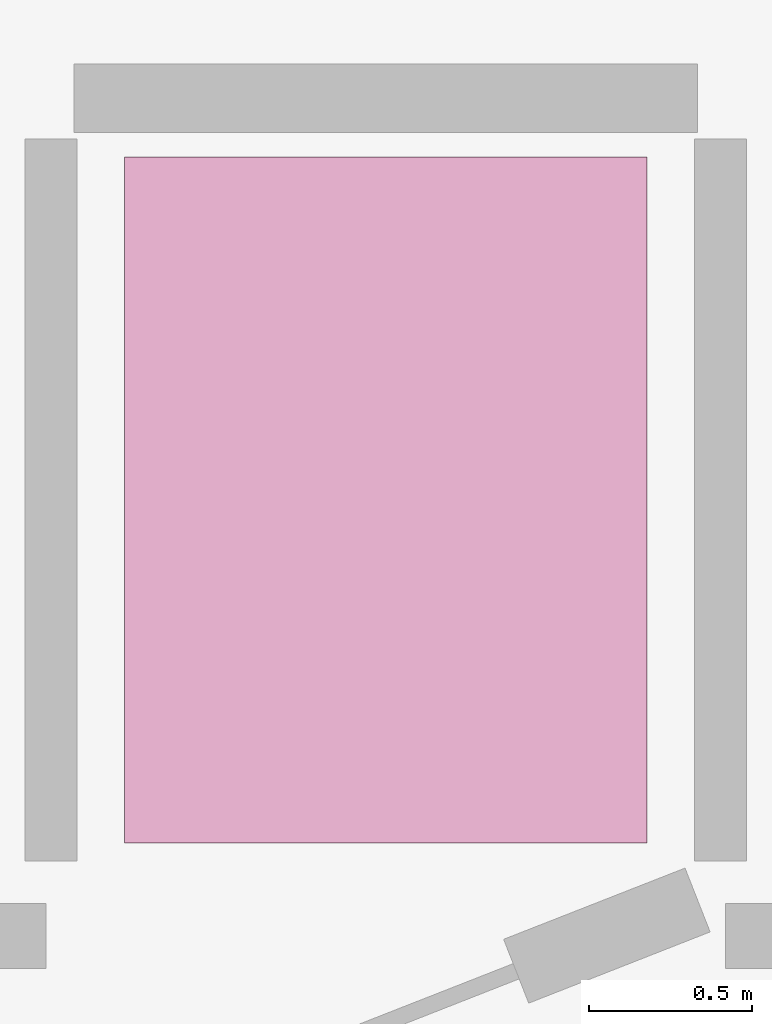
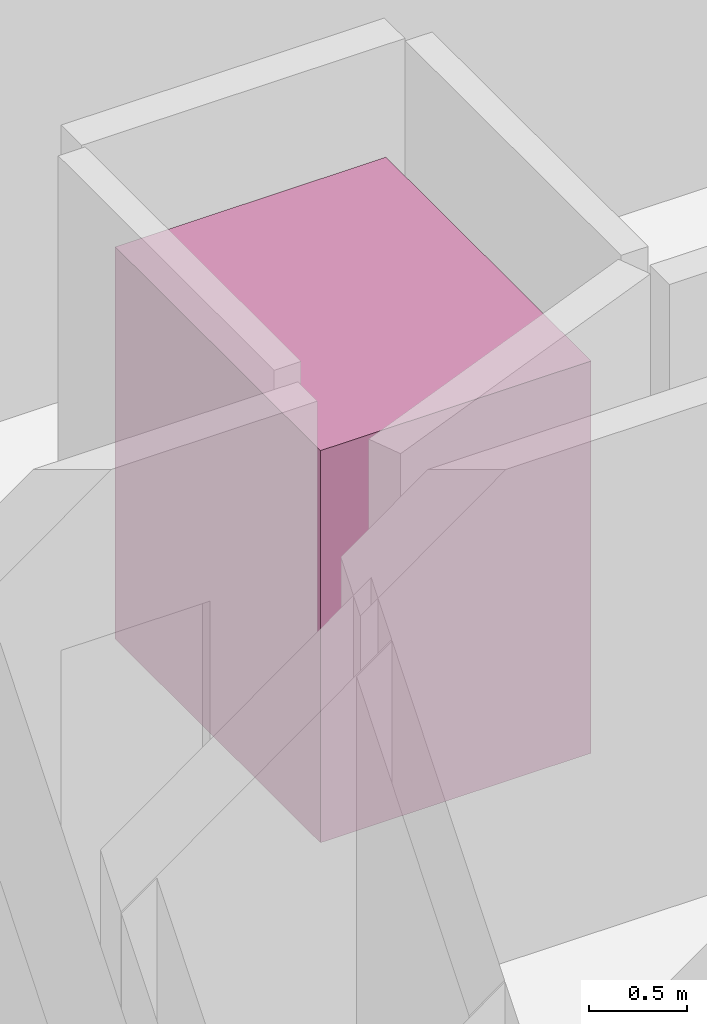
# One storey, part 27 of 27: 1 transport element.
"""IFC4 building model written with IfcOpenShell, lengths in metres."""

from ifc_helpers import new_model, si_unit, direction, frame, origin, origin_2d, place, context, subcontext, project, spatial, rectangle, extrude, material, type_object, element, save


model = new_model("IFC4")

# Units and contexts
model_context = context("Model", 3, precision=1e-05, world=origin(), true_north=direction((0.0, 1.0)))
body_context = subcontext(model_context, "Body", "Model", "MODEL_VIEW")
ifc_project = project(units=[si_unit("LENGTHUNIT", "METRE"), si_unit("AREAUNIT", "SQUARE_METRE"), si_unit("VOLUMEUNIT", "CUBIC_METRE"), si_unit("PLANEANGLEUNIT", "RADIAN"), si_unit("MASSUNIT", "GRAM", prefix="KILO")], contexts=[model_context])

# Site, building, storey
site_placement = place(None, origin())
site = spatial("IfcSite", under=ifc_project, at=site_placement, CompositionType="ELEMENT")
building_placement = place(site_placement, origin())
building = spatial("IfcBuilding", under=site, at=building_placement, Name="Zarrinselat Tower", CompositionType="ELEMENT")
storey_placement = place(building_placement, frame((0.0, 0.0, 114.580078125)))
storey = spatial("IfcBuildingStorey", under=building, at=storey_placement, Name="L27", CompositionType="ELEMENT", Elevation=114.580078125)

# Transport element
ifc_material = material(Name="Steel S355J2", Category="steel")
transport_element_type = type_object("IfcTransportElementType", Name="LFT-CAR-PS1600", PredefinedType="ELEVATOR", material=ifc_material)
transport_element_placement = place(storey_placement, frame((35.074951171875, 40.22509765625, 0.0), z_axis=(0.0, 0.0, 1.0), x_axis=(1.0, 0.0, 0.0)))
element("IfcTransportElement", 1, at=transport_element_placement, inside=storey, type_object=transport_element_type, Name="Mid-Rise Passenger Lift PL7", PredefinedType="ELEVATOR", context=body_context, shape_type="SweptSolid", body=[
    extrude(rectangle(XDim=1.60009765625, YDim=2.10009765625, at=origin_2d()), origin(), (0.0, 0.0, 1.0), 2.449951171875),
])

save(model, "model.ifc")
